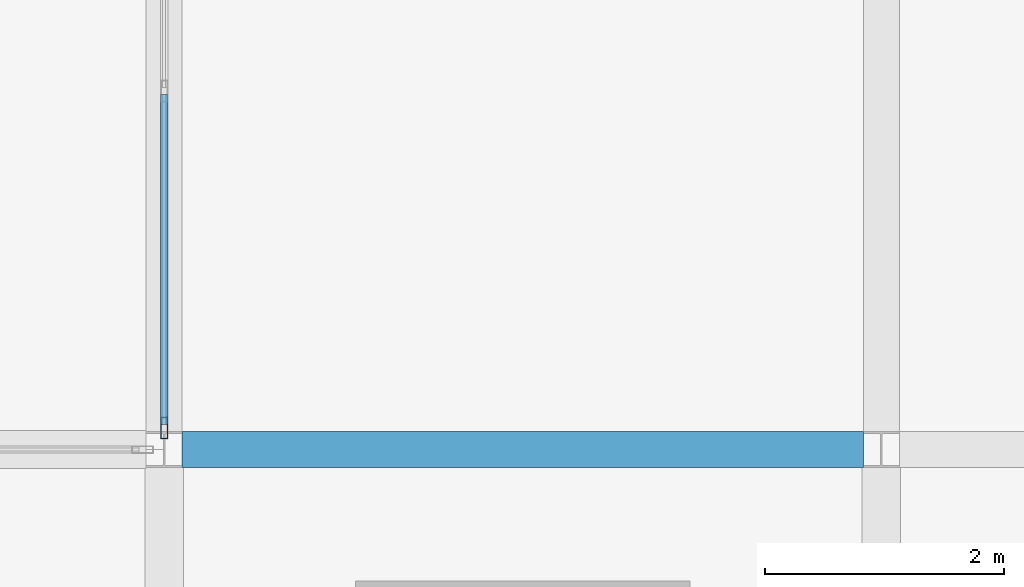
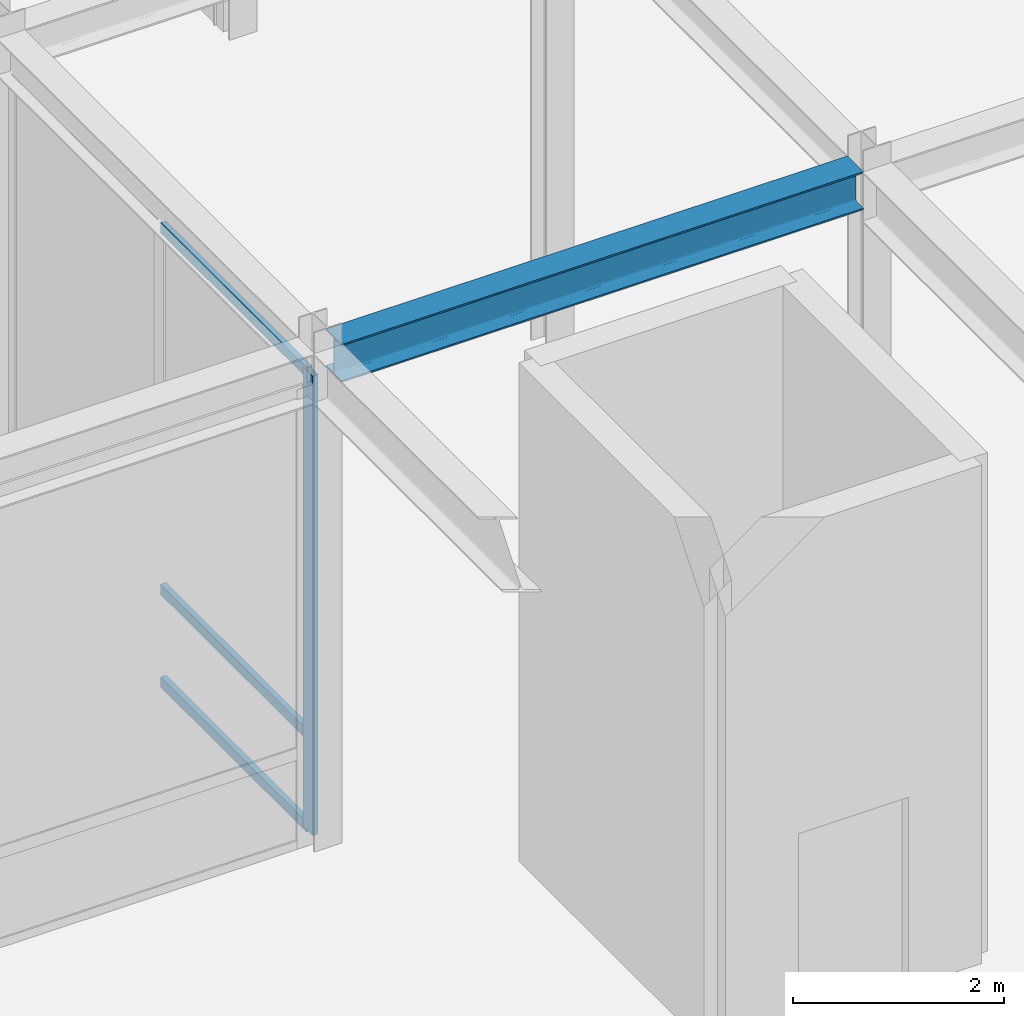
# One storey, part 40 of 108: 4 members, 1 beam, 1 element without a shape of its own.
"""IFC4 building model written with IfcOpenShell, lengths in metres."""

from ifc_helpers import new_model, si_unit, direction, frame, origin, origin_2d, place, context, subcontext, project, spatial, hollow_rectangle, i_section, extrude, material, layer, layer_set, material_profile, profile_set, type_object, element, aggregate, save


model = new_model("IFC4")

# Units and contexts
model_context = context("Model", 3, precision=1e-05, world=origin(), true_north=direction((0.0, 1.0)))
body_context = subcontext(model_context, "Body", "Model", "MODEL_VIEW")
ifc_project = project(units=[si_unit("LENGTHUNIT", "METRE"), si_unit("AREAUNIT", "SQUARE_METRE"), si_unit("VOLUMEUNIT", "CUBIC_METRE"), si_unit("PLANEANGLEUNIT", "RADIAN"), si_unit("MASSUNIT", "GRAM", prefix="KILO")], contexts=[model_context])

# Site, building, storey
site_placement = place(None, origin())
site = spatial("IfcSite", under=ifc_project, at=site_placement, CompositionType="ELEMENT")
building_placement = place(site_placement, origin())
building = spatial("IfcBuilding", under=site, at=building_placement, Name="Zlatovratsky Civic Hall", CompositionType="ELEMENT")
storey_placement = place(building_placement, frame((0.0, 0.0, 6.0)))
storey = spatial("IfcBuildingStorey", under=building, at=storey_placement, Name="L02", CompositionType="ELEMENT", Elevation=6.0)

# Beam
ifc_material_1 = material(Name="Steel S355", Category="steel")
ifc_material_profile_1 = material_profile(ifc_material_1, i_section(OverallWidth=0.300048828125, OverallDepth=0.43994140625, WebThickness=0.010986328125, FlangeThickness=0.01806640625, FilletRadius=0.02197265625, at=origin_2d()), Name="45Sh1")
ifc_profile_set_1 = profile_set([ifc_material_profile_1], Name="Steel S355")
beam_type = type_object("IfcBeamType", Name="Beam_TowerLow_45Sh1", PredefinedType="BEAM", material=ifc_profile_set_1)
beam_placement = place(storey_placement, frame((48.14990234375, 30.0, 5.5400390625), z_axis=(1.0, 0.0, 0.0), x_axis=(0.0, 1.0, 0.0)))
element("IfcBeam", 1, at=beam_placement, inside=storey, type_object=beam_type, Name="BM-1788", PredefinedType="BEAM", context=body_context, shape_type="SweptSolid", body=[
    extrude(i_section(OverallWidth=0.300048828125, OverallDepth=0.43994140625, WebThickness=0.010986328125, FlangeThickness=0.01806640625, FilletRadius=0.02197265625, at=origin_2d()), origin(), (0.0, 0.0, 1.0), 5.7001953125),
])

# Curtain wall, members
ifc_material_2 = material(Name="Anodised bronze aluminium", Category="aluminium")
ifc_layer = layer(ifc_material_2, 0.159912109375)
ifc_layer_set = layer_set([ifc_layer], Name="Anodised bronze aluminium")
curtain_wall_type = type_object("IfcCurtainWallType", Name="CurtainWall_Bronze_5700x5310_06", PredefinedType="NOTDEFINED", material=ifc_layer_set)
curtain_wall_placement = place(storey_placement, origin())
curtain_wall = element("IfcCurtainWall", 2, at=curtain_wall_placement, inside=storey, type_object=curtain_wall_type, Name="CW-021", PredefinedType="NOTDEFINED")
ifc_material_profile_2 = material_profile(ifc_material_2, hollow_rectangle(XDim=0.06005859375, YDim=0.179931640625, WallThickness=0.00390625, at=origin_2d()), Name="ALU 60x180x4")
ifc_profile_set_2 = profile_set([ifc_material_profile_2], Name="Anodised bronze aluminium")
member_type_1 = type_object("IfcMemberType", Name="CW_Mullion_60x180", PredefinedType="MULLION", material=ifc_profile_set_2)
member_1_placement = place(storey_placement, frame((48.0, 30.179931640625, 0.0), z_axis=(0.0, 0.0, 1.0), x_axis=(-1.0, 0.0, 0.0)))
member_1 = element("IfcMember", 3, at=member_1_placement, type_object=member_type_1, Name="CW-06 mullion 1", PredefinedType="MULLION", context=body_context, shape_type="SweptSolid", body=[
    extrude(hollow_rectangle(XDim=0.06005859375, YDim=0.179931640625, WallThickness=0.00390625, at=origin_2d()), origin(), (0.0, 0.0, 1.0), 5.31005859375),
])
ifc_material_profile_3 = material_profile(ifc_material_2, hollow_rectangle(XDim=0.06005859375, YDim=0.1201171875, WallThickness=0.00390625, at=origin_2d()), Name="ALU 60x120x4")
ifc_profile_set_3 = profile_set([ifc_material_profile_3], Name="Anodised bronze aluminium")
member_type_2 = type_object("IfcMemberType", Name="CW_Transom_60x120", PredefinedType="USERDEFINED", material=ifc_profile_set_3)
member_2_placement = place(storey_placement, frame((48.0, 30.2099609375, 0.030029296875), z_axis=(0.0, 1.0, 0.0), x_axis=(-1.0, 0.0, 0.0)))
member_2 = element("IfcMember", 4, at=member_2_placement, type_object=member_type_2, Name="CW-06 transom 1.1", ObjectType="TRANSOM", PredefinedType="USERDEFINED", context=body_context, shape_type="SweptSolid", body=[
    extrude(hollow_rectangle(XDim=0.06005859375, YDim=0.1201171875, WallThickness=0.00390625, at=origin_2d()), origin(), (0.0, 0.0, 1.0), 2.760009765625),
])
member_3_placement = place(storey_placement, frame((48.0, 30.2099609375, 1.10009765625), z_axis=(0.0, 1.0, 0.0), x_axis=(-1.0, 0.0, 0.0)))
member_3 = element("IfcMember", 5, at=member_3_placement, type_object=member_type_2, Name="CW-06 transom 1.2", ObjectType="TRANSOM", PredefinedType="USERDEFINED", context=body_context, shape_type="SweptSolid", body=[
    extrude(hollow_rectangle(XDim=0.06005859375, YDim=0.1201171875, WallThickness=0.00390625, at=origin_2d()), origin(), (0.0, 0.0, 1.0), 2.760009765625),
])
member_4_placement = place(storey_placement, frame((48.0, 30.2099609375, 5.280029296875), z_axis=(0.0, 1.0, 0.0), x_axis=(-1.0, 0.0, 0.0)))
member_4 = element("IfcMember", 6, at=member_4_placement, type_object=member_type_2, Name="CW-06 transom 1.3", ObjectType="TRANSOM", PredefinedType="USERDEFINED", context=body_context, shape_type="SweptSolid", body=[
    extrude(hollow_rectangle(XDim=0.06005859375, YDim=0.1201171875, WallThickness=0.00390625, at=origin_2d()), origin(), (0.0, 0.0, 1.0), 2.760009765625),
])
aggregate(curtain_wall, [member_1, member_2, member_3, member_4])

save(model, "model.ifc")
